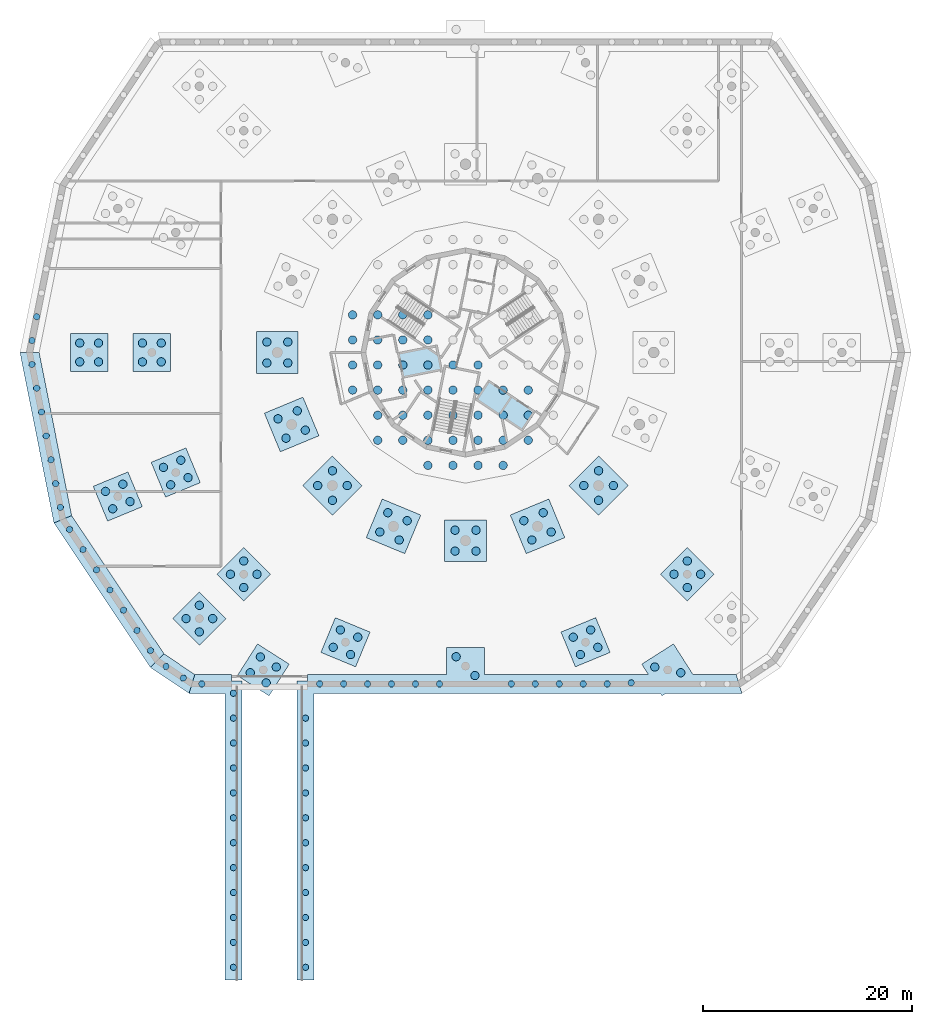
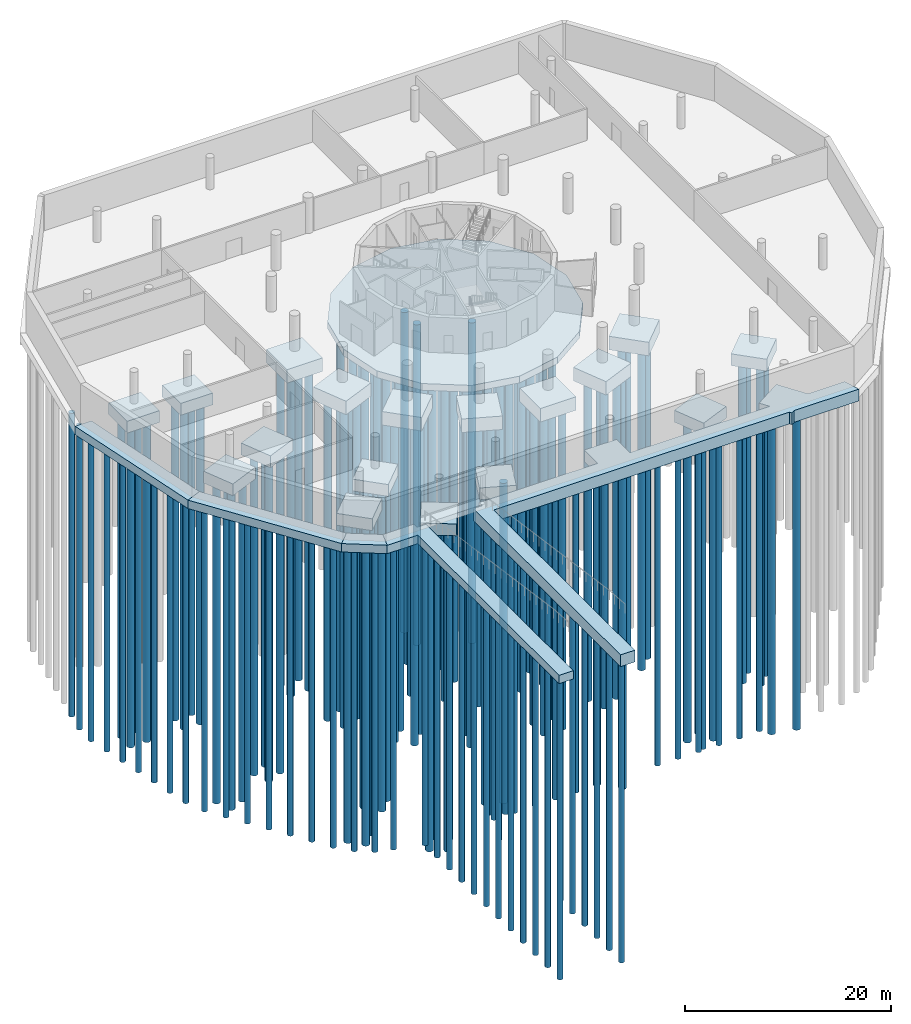
# One storey, part 1 of 8: 166 piles, 23 footings.
"""IFC4 building model written with IfcOpenShell, lengths in metres."""

from ifc_helpers import new_model, si_unit, direction, frame, origin, origin_2d, place, context, subcontext, project, spatial, polyline, circle, outline, extrude, material, layer, layer_set, material_profile, profile_set, type_object, element, save


model = new_model("IFC4")

# Units and contexts
model_context = context("Model", 3, precision=1e-05, world=origin(), true_north=direction((0.0, 1.0)))
body_context = subcontext(model_context, "Body", "Model", "MODEL_VIEW")
ifc_project = project(units=[si_unit("LENGTHUNIT", "METRE"), si_unit("AREAUNIT", "SQUARE_METRE"), si_unit("VOLUMEUNIT", "CUBIC_METRE"), si_unit("PLANEANGLEUNIT", "RADIAN"), si_unit("MASSUNIT", "GRAM", prefix="KILO")], contexts=[model_context])

# Site, building, storey
site_placement = place(None, origin())
site = spatial("IfcSite", under=ifc_project, at=site_placement, CompositionType="ELEMENT")
building_placement = place(site_placement, origin())
building = spatial("IfcBuilding", under=site, at=building_placement, Name="Ceibo Conservatory and Research Tower", CompositionType="ELEMENT")
storey_placement = place(building_placement, frame((0.0, 0.0, -4.199951171875)))
storey = spatial("IfcBuildingStorey", under=building, at=storey_placement, Name="B1", CompositionType="ELEMENT", Elevation=-4.199951171875)

# Piles
ifc_material_1 = material(Name="Concrete C35/45", Category="concrete")
ifc_material_profile_1 = material_profile(ifc_material_1, circle(Radius=0.300048828125, at=origin_2d()), Name="RC D600")
ifc_profile_set_1 = profile_set([ifc_material_profile_1], Name="Concrete C35/45")
pile_type_1 = type_object("IfcPileType", Name="Bored pile D600", PredefinedType="BORED", material=ifc_profile_set_1)
for number, where, z_axis, x_axis, name in (
    (1, (34.046142578125, 88.300048828125, -1.900146484375), (0.0, 0.0, -1.0), (1.0, 0.0, 0.0), "Pile B1.CAPM.R10.J 05"),
    (2, (36.338623046875, 88.300048828125, -1.900146484375), (0.0, 0.0, -1.0), (1.0, 0.0, 0.0), "Pile B1.CAPM.R10.J 06"),
    (3, (38.630859375, 88.300048828125, -1.900146484375), (0.0, 0.0, -1.0), (1.0, 0.0, 0.0), "Pile B1.CAPM.R10.J 07"),
    (4, (40.92333984375, 88.300048828125, -1.900146484375), (0.0, 0.0, -1.0), (1.0, 0.0, 0.0), "Pile B1.CAPM.R10.J 08"),
    (5, (43.2158203125, 88.300048828125, -1.900146484375), (0.0, 0.0, -1.0), (1.0, 0.0, 0.0), "Pile B1.CAPM.R10.J 09"),
    (6, (45.508056640625, 88.300048828125, -1.900146484375), (0.0, 0.0, -1.0), (1.0, 0.0, 0.0), "Pile B1.CAPM.R10.J 10"),
    (7, (52.38525390625, 88.300048828125, -1.900146484375), (0.0, 0.0, -1.0), (1.0, 0.0, 0.0), "Pile B1.CAPM.R10.J 11"),
    (8, (54.677734375, 88.300048828125, -1.900146484375), (0.0, 0.0, -1.0), (1.0, 0.0, 0.0), "Pile B1.CAPM.R10.J 12"),
    (9, (56.97021484375, 88.300048828125, -1.900146484375), (0.0, 0.0, -1.0), (1.0, 0.0, 0.0), "Pile B1.CAPM.R10.J 13"),
    (10, (59.262451171875, 88.300048828125, -1.900146484375), (0.0, 0.0, -1.0), (1.0, 0.0, 0.0), "Pile B1.CAPM.R10.J 14"),
    (11, (61.554931640625, 88.300048828125, -1.900146484375), (0.0, 0.0, -1.0), (1.0, 0.0, 0.0), "Pile B1.CAPM.R10.J 15"),
    (12, (63.84716796875, 88.39990234375, -1.900146484375), (0.0, 0.0, -1.0), (1.0, 0.0, 0.0), "Pile B1.CAPM.R10.J 16"),
    (13, (32.699951171875, 61.191650390625, -1.900146484375), (0.0, 0.0, -1.0), (1.0, 0.0, 0.0), "Pile B1.CAPM.R10.J 19"),
    (14, (32.699951171875, 63.574951171875, -1.900146484375), (0.0, 0.0, -1.0), (1.0, 0.0, 0.0), "Pile B1.CAPM.R10.J 20"),
    (15, (32.699951171875, 65.958251953125, -1.900146484375), (0.0, 0.0, -1.0), (1.0, 0.0, 0.0), "Pile B1.CAPM.R10.J 21"),
    (16, (32.699951171875, 68.341552734375, -1.900146484375), (0.0, 0.0, -1.0), (1.0, 0.0, 0.0), "Pile B1.CAPM.R10.J 22"),
    (17, (32.699951171875, 70.72509765625, -1.900146484375), (0.0, 0.0, -1.0), (1.0, 0.0, 0.0), "Pile B1.CAPM.R10.J 23"),
    (18, (32.699951171875, 73.1083984375, -1.900146484375), (0.0, 0.0, -1.0), (1.0, 0.0, 0.0), "Pile B1.CAPM.R10.J 24"),
    (19, (32.699951171875, 75.49169921875, -1.900146484375), (0.0, 0.0, -1.0), (1.0, 0.0, 0.0), "Pile B1.CAPM.R10.J 25"),
    (20, (32.699951171875, 77.875, -1.900146484375), (0.0, 0.0, -1.0), (1.0, 0.0, 0.0), "Pile B1.CAPM.R10.J 26"),
    (21, (32.699951171875, 80.25830078125, -1.900146484375), (0.0, 0.0, -1.0), (1.0, 0.0, 0.0), "Pile B1.CAPM.R10.J 27"),
    (22, (32.699951171875, 82.6416015625, -1.900146484375), (0.0, 0.0, -1.0), (1.0, 0.0, 0.0), "Pile B1.CAPM.R10.J 28"),
    (23, (32.699951171875, 85.02490234375, -1.900146484375), (0.0, 0.0, -1.0), (1.0, 0.0, 0.0), "Pile B1.CAPM.R10.J 29"),
    (24, (6.986083984375, 123.419189453125, -1.5), (0.0, 0.0, -1.0), (1.0, 0.0, 0.0), "Pile B1.STRIP.F05 06"),
    (25, (6.532470703125, 121.1396484375, -1.5), (0.0, 0.0, -1.0), (1.0, 0.0, 0.0), "Pile B1.STRIP.F05 07"),
    (26, (6.532470703125, 118.8603515625, -1.5), (0.0, 0.0, -1.0), (1.0, 0.0, 0.0), "Pile B1.STRIP.F06 01"),
    (27, (6.986083984375, 116.580810546875, -1.5), (0.0, 0.0, -1.0), (1.0, 0.0, 0.0), "Pile B1.STRIP.F06 02"),
    (28, (7.439453125, 114.301513671875, -1.5), (0.0, 0.0, -1.0), (1.0, 0.0, 0.0), "Pile B1.STRIP.F06 03"),
    (29, (7.892822265625, 112.022216796875, -1.5), (0.0, 0.0, -1.0), (1.0, 0.0, 0.0), "Pile B1.STRIP.F06 04"),
    (30, (8.34619140625, 109.74267578125, -1.5), (0.0, 0.0, -1.0), (1.0, 0.0, 0.0), "Pile B1.STRIP.F06 05"),
    (31, (8.799560546875, 107.46337890625, -1.5), (0.0, 0.0, -1.0), (1.0, 0.0, 0.0), "Pile B1.STRIP.F06 06"),
    (32, (9.2529296875, 105.18408203125, -1.5), (0.0, 0.0, -1.0), (1.0, 0.0, 0.0), "Pile B1.STRIP.F06 07"),
    (33, (10.125244140625, 103.078125, -1.5), (0.0, 0.0, -1.0), (1.0, 0.0, 0.0), "Pile B1.STRIP.F07 01"),
    (34, (11.41650390625, 101.145751953125, -1.5), (0.0, 0.0, -1.0), (1.0, 0.0, 0.0), "Pile B1.STRIP.F07 02"),
    (35, (12.70751953125, 99.21337890625, -1.5), (0.0, 0.0, -1.0), (1.0, 0.0, 0.0), "Pile B1.STRIP.F07 03"),
    (36, (13.998779296875, 97.281005859375, -1.5), (0.0, 0.0, -1.0), (1.0, 0.0, 0.0), "Pile B1.STRIP.F07 04"),
    (37, (15.289794921875, 95.3486328125, -1.5), (0.0, 0.0, -1.0), (1.0, 0.0, 0.0), "Pile B1.STRIP.F07 05"),
    (38, (16.5810546875, 93.416259765625, -1.5), (0.0, 0.0, -1.0), (1.0, 0.0, 0.0), "Pile B1.STRIP.F07 06"),
    (39, (17.872314453125, 91.48388671875, -1.5), (0.0, 0.0, -1.0), (1.0, 0.0, 0.0), "Pile B1.STRIP.F07 07"),
    (40, (19.34765625, 89.96337890625, -1.5), (0.0, 0.0, -1.0), (1.0, 0.0, 0.0), "Pile B1.STRIP.F08 01"),
    (41, (21.007080078125, 88.8544921875, -1.5), (0.0, 0.0, -1.0), (1.0, 0.0, 0.0), "Pile B1.STRIP.F08 02"),
    (42, (25.800048828125, 61.191650390625, -1.5), (0.0, 0.0, -1.0), (1.0, 0.0, 0.0), "Pile B1.STRIP.RAMP.W.J 01"),
    (43, (25.800048828125, 63.574951171875, -1.5), (0.0, 0.0, -1.0), (1.0, 0.0, 0.0), "Pile B1.STRIP.RAMP.W.J 02"),
    (44, (25.800048828125, 65.958251953125, -1.5), (0.0, 0.0, -1.0), (1.0, 0.0, 0.0), "Pile B1.STRIP.RAMP.W.J 03"),
    (45, (25.800048828125, 68.341552734375, -1.5), (0.0, 0.0, -1.0), (1.0, 0.0, 0.0), "Pile B1.STRIP.RAMP.W.J 04"),
    (46, (25.800048828125, 70.72509765625, -1.5), (0.0, 0.0, -1.0), (1.0, 0.0, 0.0), "Pile B1.STRIP.RAMP.W.J 05"),
    (47, (25.800048828125, 73.1083984375, -1.5), (0.0, 0.0, -1.0), (1.0, 0.0, 0.0), "Pile B1.STRIP.RAMP.W.J 06"),
    (48, (25.800048828125, 75.49169921875, -1.5), (0.0, 0.0, -1.0), (1.0, 0.0, 0.0), "Pile B1.STRIP.RAMP.W.J 07"),
    (49, (25.800048828125, 77.875, -1.5), (0.0, 0.0, -1.0), (1.0, 0.0, 0.0), "Pile B1.STRIP.RAMP.W.J 08"),
    (50, (25.800048828125, 80.25830078125, -1.5), (0.0, 0.0, -1.0), (1.0, 0.0, 0.0), "Pile B1.STRIP.RAMP.W.J 09"),
    (51, (25.800048828125, 82.6416015625, -1.5), (0.0, 0.0, -1.0), (1.0, 0.0, 0.0), "Pile B1.STRIP.RAMP.W.J 10"),
    (52, (25.800048828125, 85.02490234375, -1.5), (0.0, 0.0, -1.0), (1.0, 0.0, 0.0), "Pile B1.STRIP.RAMP.W.J 11"),
    (53, (25.800048828125, 87.408447265625, -1.5), (0.0, 0.0, -1.0), (1.0, 0.0, 0.0), "Pile B1.STRIP.RAMP.W.J 12"),
    (54, (22.77783203125, 88.300048828125, -1.5), (0.0, 0.0, -1.0), (1.0, 0.0, 0.0), "Pile B1.STRIP.RAMP.W.J 13"),
):
    element("IfcPile", number, at=place(storey_placement, frame(where, z_axis=z_axis, x_axis=x_axis)), inside=storey, type_object=pile_type_1, Name=name, PredefinedType="BORED", context=body_context, shape_type="SweptSolid", body=[
        extrude(circle(Radius=0.300048828125, at=origin_2d()), origin(), (0.0, 0.0, 1.0), 36.0),
    ])
ifc_material_profile_2 = material_profile(ifc_material_1, circle(Radius=0.39990234375, at=origin_2d()), Name="RC D800")
ifc_profile_set_2 = profile_set([ifc_material_profile_2], Name="Concrete C35/45")
pile_type_2 = type_object("IfcPileType", Name="Bored pile D800", PredefinedType="BORED", material=ifc_profile_set_2)
for number, where, z_axis, x_axis, name in (
    (55, (44.39990234375, 109.199951171875, -2.699951171875), (0.0, 0.0, -1.0), (1.0, 0.0, 0.0), "Pile T.CAP.CORE 01"),
    (56, (46.800048828125, 109.199951171875, -2.699951171875), (0.0, 0.0, -1.0), (1.0, 0.0, 0.0), "Pile T.CAP.CORE 02"),
    (57, (49.199951171875, 109.199951171875, -2.699951171875), (0.0, 0.0, -1.0), (1.0, 0.0, 0.0), "Pile T.CAP.CORE 03"),
    (58, (51.60009765625, 109.199951171875, -2.699951171875), (0.0, 0.0, -1.0), (1.0, 0.0, 0.0), "Pile T.CAP.CORE 04"),
    (59, (39.60009765625, 111.60009765625, -2.699951171875), (0.0, 0.0, -1.0), (1.0, 0.0, 0.0), "Pile T.CAP.CORE 05"),
    (60, (42.0, 111.60009765625, -2.699951171875), (0.0, 0.0, -1.0), (1.0, 0.0, 0.0), "Pile T.CAP.CORE 06"),
    (61, (44.39990234375, 111.60009765625, -2.699951171875), (0.0, 0.0, -1.0), (1.0, 0.0, 0.0), "Pile T.CAP.CORE 07"),
    (62, (46.800048828125, 111.60009765625, -2.699951171875), (0.0, 0.0, -1.0), (1.0, 0.0, 0.0), "Pile T.CAP.CORE 08"),
    (63, (49.199951171875, 111.60009765625, -2.699951171875), (0.0, 0.0, -1.0), (1.0, 0.0, 0.0), "Pile T.CAP.CORE 09"),
    (64, (51.60009765625, 111.60009765625, -2.699951171875), (0.0, 0.0, -1.0), (1.0, 0.0, 0.0), "Pile T.CAP.CORE 10"),
    (65, (54.0, 111.60009765625, -2.699951171875), (0.0, 0.0, -1.0), (1.0, 0.0, 0.0), "Pile T.CAP.CORE 11"),
    (66, (39.60009765625, 114.0, -2.699951171875), (0.0, 0.0, -1.0), (1.0, 0.0, 0.0), "Pile T.CAP.CORE 13"),
    (67, (42.0, 114.0, -2.699951171875), (0.0, 0.0, -1.0), (1.0, 0.0, 0.0), "Pile T.CAP.CORE 14"),
    (68, (44.39990234375, 114.0, -2.699951171875), (0.0, 0.0, -1.0), (1.0, 0.0, 0.0), "Pile T.CAP.CORE 15"),
    (69, (46.800048828125, 114.0, -2.699951171875), (0.0, 0.0, -1.0), (1.0, 0.0, 0.0), "Pile T.CAP.CORE 16"),
    (70, (49.199951171875, 114.0, -2.699951171875), (0.0, 0.0, -1.0), (1.0, 0.0, 0.0), "Pile T.CAP.CORE 17"),
    (71, (51.60009765625, 114.0, -2.699951171875), (0.0, 0.0, -1.0), (1.0, 0.0, 0.0), "Pile T.CAP.CORE 18"),
    (72, (54.0, 114.0, -2.699951171875), (0.0, 0.0, -1.0), (1.0, 0.0, 0.0), "Pile T.CAP.CORE 19"),
    (73, (37.199951171875, 116.39990234375, -2.699951171875), (0.0, 0.0, -1.0), (1.0, 0.0, 0.0), "Pile T.CAP.CORE 21"),
    (74, (39.60009765625, 116.39990234375, -2.699951171875), (0.0, 0.0, -1.0), (1.0, 0.0, 0.0), "Pile T.CAP.CORE 22"),
    (75, (42.0, 116.39990234375, -2.699951171875), (0.0, 0.0, -1.0), (1.0, 0.0, 0.0), "Pile T.CAP.CORE 23"),
    (76, (44.39990234375, 116.39990234375, -2.699951171875), (0.0, 0.0, -1.0), (1.0, 0.0, 0.0), "Pile T.CAP.CORE 24"),
    (77, (46.800048828125, 116.39990234375, -2.699951171875), (0.0, 0.0, -1.0), (1.0, 0.0, 0.0), "Pile T.CAP.CORE 25"),
    (78, (49.199951171875, 116.39990234375, -2.699951171875), (0.0, 0.0, -1.0), (1.0, 0.0, 0.0), "Pile T.CAP.CORE 26"),
    (79, (51.60009765625, 116.39990234375, -2.699951171875), (0.0, 0.0, -1.0), (1.0, 0.0, 0.0), "Pile T.CAP.CORE 27"),
    (80, (54.0, 116.39990234375, -2.699951171875), (0.0, 0.0, -1.0), (1.0, 0.0, 0.0), "Pile T.CAP.CORE 28"),
    (81, (37.199951171875, 118.800048828125, -2.699951171875), (0.0, 0.0, -1.0), (1.0, 0.0, 0.0), "Pile T.CAP.CORE 31"),
    (82, (39.60009765625, 118.800048828125, -2.699951171875), (0.0, 0.0, -1.0), (1.0, 0.0, 0.0), "Pile T.CAP.CORE 32"),
    (83, (42.0, 118.800048828125, -2.699951171875), (0.0, 0.0, -1.0), (1.0, 0.0, 0.0), "Pile T.CAP.CORE 33"),
    (84, (44.39990234375, 118.800048828125, -2.699951171875), (0.0, 0.0, -1.0), (1.0, 0.0, 0.0), "Pile T.CAP.CORE 34"),
    (85, (46.800048828125, 118.800048828125, -2.699951171875), (0.0, 0.0, -1.0), (1.0, 0.0, 0.0), "Pile T.CAP.CORE 35"),
    (86, (49.199951171875, 118.800048828125, -2.699951171875), (0.0, 0.0, -1.0), (1.0, 0.0, 0.0), "Pile T.CAP.CORE 36"),
    (87, (37.199951171875, 121.199951171875, -2.699951171875), (0.0, 0.0, -1.0), (1.0, 0.0, 0.0), "Pile T.CAP.CORE 41"),
    (88, (39.60009765625, 121.199951171875, -2.699951171875), (0.0, 0.0, -1.0), (1.0, 0.0, 0.0), "Pile T.CAP.CORE 42"),
    (89, (42.0, 121.199951171875, -2.699951171875), (0.0, 0.0, -1.0), (1.0, 0.0, 0.0), "Pile T.CAP.CORE 43"),
    (90, (44.39990234375, 121.199951171875, -2.699951171875), (0.0, 0.0, -1.0), (1.0, 0.0, 0.0), "Pile T.CAP.CORE 44"),
    (91, (37.199951171875, 123.60009765625, -2.699951171875), (0.0, 0.0, -1.0), (1.0, 0.0, 0.0), "Pile T.CAP.CORE 51"),
    (92, (39.60009765625, 123.60009765625, -2.699951171875), (0.0, 0.0, -1.0), (1.0, 0.0, 0.0), "Pile T.CAP.CORE 52"),
    (93, (42.0, 123.60009765625, -2.699951171875), (0.0, 0.0, -1.0), (1.0, 0.0, 0.0), "Pile T.CAP.CORE 53"),
    (94, (44.39990234375, 123.60009765625, -2.699951171875), (0.0, 0.0, -1.0), (1.0, 0.0, 0.0), "Pile T.CAP.CORE 54"),
    (95, (31.0, 121.0, -2.10009765625), (0.0, 0.0, -1.0), (1.0, 0.0, 0.0), "Pile T.CAP.R09 01"),
    (96, (31.0, 119.0, -2.10009765625), (0.0, 0.0, -1.0), (1.0, 0.0, 0.0), "Pile T.CAP.R09 02"),
    (97, (29.0, 121.0, -2.10009765625), (0.0, 0.0, -1.0), (1.0, 0.0, 0.0), "Pile T.CAP.R09 03"),
    (98, (29.0, 119.0, -2.10009765625), (0.0, 0.0, -1.0), (1.0, 0.0, 0.0), "Pile T.CAP.R09 04"),
    (99, (31.911376953125, 114.418212890625, -2.10009765625), (0.0, 0.0, -1.0), (1.0, 0.0, 0.0), "Pile T.CAP.R10 01"),
    (100, (32.6767578125, 112.570556640625, -2.10009765625), (0.0, 0.0, -1.0), (1.0, 0.0, 0.0), "Pile T.CAP.R10 02"),
    (101, (30.063720703125, 113.65283203125, -2.10009765625), (0.0, 0.0, -1.0), (1.0, 0.0, 0.0), "Pile T.CAP.R10 03"),
    (102, (30.828857421875, 111.80517578125, -2.10009765625), (0.0, 0.0, -1.0), (1.0, 0.0, 0.0), "Pile T.CAP.R10 04"),
    (103, (35.27197265625, 108.686279296875, -2.10009765625), (0.0, 0.0, -1.0), (1.0, 0.0, 0.0), "Pile T.CAP.R11 01"),
    (104, (36.686279296875, 107.27197265625, -2.10009765625), (0.0, 0.0, -1.0), (1.0, 0.0, 0.0), "Pile T.CAP.R11 02"),
    (105, (33.85791015625, 107.27197265625, -2.10009765625), (0.0, 0.0, -1.0), (1.0, 0.0, 0.0), "Pile T.CAP.R11 03"),
    (106, (35.27197265625, 105.85791015625, -2.10009765625), (0.0, 0.0, -1.0), (1.0, 0.0, 0.0), "Pile T.CAP.R11 04"),
    (107, (40.570556640625, 104.6767578125, -2.10009765625), (0.0, 0.0, -1.0), (1.0, 0.0, 0.0), "Pile T.CAP.R12 01"),
    (108, (42.418212890625, 103.911376953125, -2.10009765625), (0.0, 0.0, -1.0), (1.0, 0.0, 0.0), "Pile T.CAP.R12 02"),
    (109, (39.80517578125, 102.828857421875, -2.10009765625), (0.0, 0.0, -1.0), (1.0, 0.0, 0.0), "Pile T.CAP.R12 03"),
    (110, (41.65283203125, 102.063720703125, -2.10009765625), (0.0, 0.0, -1.0), (1.0, 0.0, 0.0), "Pile T.CAP.R12 04"),
    (111, (47.0, 103.0, -2.10009765625), (0.0, 0.0, -1.0), (1.0, 0.0, 0.0), "Pile T.CAP.R13 01"),
    (112, (49.0, 103.0, -2.10009765625), (0.0, 0.0, -1.0), (1.0, 0.0, 0.0), "Pile T.CAP.R13 02"),
    (113, (47.0, 101.0, -2.10009765625), (0.0, 0.0, -1.0), (1.0, 0.0, 0.0), "Pile T.CAP.R13 03"),
    (114, (49.0, 101.0, -2.10009765625), (0.0, 0.0, -1.0), (1.0, 0.0, 0.0), "Pile T.CAP.R13 04"),
    (115, (53.581787109375, 103.911376953125, -2.10009765625), (0.0, 0.0, -1.0), (1.0, 0.0, 0.0), "Pile T.CAP.R14 01"),
    (116, (55.429443359375, 104.6767578125, -2.10009765625), (0.0, 0.0, -1.0), (1.0, 0.0, 0.0), "Pile T.CAP.R14 02"),
    (117, (54.34716796875, 102.063720703125, -2.10009765625), (0.0, 0.0, -1.0), (1.0, 0.0, 0.0), "Pile T.CAP.R14 03"),
    (118, (56.19482421875, 102.828857421875, -2.10009765625), (0.0, 0.0, -1.0), (1.0, 0.0, 0.0), "Pile T.CAP.R14 04"),
    (119, (59.313720703125, 107.27197265625, -2.10009765625), (0.0, 0.0, -1.0), (1.0, 0.0, 0.0), "Pile T.CAP.R15 01"),
    (120, (60.72802734375, 108.686279296875, -2.10009765625), (0.0, 0.0, -1.0), (1.0, 0.0, 0.0), "Pile T.CAP.R15 02"),
    (121, (60.72802734375, 105.85791015625, -2.10009765625), (0.0, 0.0, -1.0), (1.0, 0.0, 0.0), "Pile T.CAP.R15 03"),
    (122, (62.14208984375, 107.27197265625, -2.10009765625), (0.0, 0.0, -1.0), (1.0, 0.0, 0.0), "Pile T.CAP.R15 04"),
    (123, (18.89990234375, 120.89990234375, -1.900146484375), (0.0, 0.0, -1.0), (1.0, 0.0, 0.0), "Pile B1.CAP.R09 01"),
    (124, (17.10009765625, 120.89990234375, -1.900146484375), (0.0, 0.0, -1.0), (1.0, 0.0, 0.0), "Pile B1.CAP.R09 02"),
    (125, (17.10009765625, 119.10009765625, -1.900146484375), (0.0, 0.0, -1.0), (1.0, 0.0, 0.0), "Pile B1.CAP.R09 03"),
    (126, (18.89990234375, 119.10009765625, -1.900146484375), (0.0, 0.0, -1.0), (1.0, 0.0, 0.0), "Pile B1.CAP.R09 04"),
    (127, (20.770751953125, 109.6953125, -1.900146484375), (0.0, 0.0, -1.0), (1.0, 0.0, 0.0), "Pile B1.CAP.R10 01"),
    (128, (19.107666015625, 109.006591796875, -1.900146484375), (0.0, 0.0, -1.0), (1.0, 0.0, 0.0), "Pile B1.CAP.R10 02"),
    (129, (19.796630859375, 107.343505859375, -1.900146484375), (0.0, 0.0, -1.0), (1.0, 0.0, 0.0), "Pile B1.CAP.R10 03"),
    (130, (21.45947265625, 108.032470703125, -1.900146484375), (0.0, 0.0, -1.0), (1.0, 0.0, 0.0), "Pile B1.CAP.R10 04"),
    (131, (26.786865234375, 100.0595703125, -1.900146484375), (0.0, 0.0, -1.0), (1.0, 0.0, 0.0), "Pile B1.CAP.R11 01"),
    (132, (25.513916015625, 98.786865234375, -1.900146484375), (0.0, 0.0, -1.0), (1.0, 0.0, 0.0), "Pile B1.CAP.R11 02"),
    (133, (26.786865234375, 97.513916015625, -1.900146484375), (0.0, 0.0, -1.0), (1.0, 0.0, 0.0), "Pile B1.CAP.R11 03"),
    (134, (28.0595703125, 98.786865234375, -1.900146484375), (0.0, 0.0, -1.0), (1.0, 0.0, 0.0), "Pile B1.CAP.R11 04"),
    (135, (36.032470703125, 93.45947265625, -1.900146484375), (0.0, 0.0, -1.0), (1.0, 0.0, 0.0), "Pile B1.CAP.R12 01"),
    (136, (35.343505859375, 91.796630859375, -1.900146484375), (0.0, 0.0, -1.0), (1.0, 0.0, 0.0), "Pile B1.CAP.R12 02"),
    (137, (37.006591796875, 91.107666015625, -1.900146484375), (0.0, 0.0, -1.0), (1.0, 0.0, 0.0), "Pile B1.CAP.R12 03"),
    (138, (37.6953125, 92.770751953125, -1.900146484375), (0.0, 0.0, -1.0), (1.0, 0.0, 0.0), "Pile B1.CAP.R12 04"),
    (139, (58.3046875, 92.770751953125, -1.900146484375), (0.0, 0.0, -1.0), (1.0, 0.0, 0.0), "Pile B1.CAP.R14 01"),
    (140, (58.993408203125, 91.107666015625, -1.900146484375), (0.0, 0.0, -1.0), (1.0, 0.0, 0.0), "Pile B1.CAP.R14 02"),
    (141, (60.656494140625, 91.796630859375, -1.900146484375), (0.0, 0.0, -1.0), (1.0, 0.0, 0.0), "Pile B1.CAP.R14 03"),
    (142, (59.967529296875, 93.45947265625, -1.900146484375), (0.0, 0.0, -1.0), (1.0, 0.0, 0.0), "Pile B1.CAP.R14 04"),
    (143, (67.9404296875, 98.786865234375, -1.900146484375), (0.0, 0.0, -1.0), (1.0, 0.0, 0.0), "Pile B1.CAP.R15 01"),
    (144, (69.213134765625, 97.513916015625, -1.900146484375), (0.0, 0.0, -1.0), (1.0, 0.0, 0.0), "Pile B1.CAP.R15 02"),
    (145, (70.486083984375, 98.786865234375, -1.900146484375), (0.0, 0.0, -1.0), (1.0, 0.0, 0.0), "Pile B1.CAP.R15 03"),
    (146, (69.213134765625, 100.0595703125, -1.900146484375), (0.0, 0.0, -1.0), (1.0, 0.0, 0.0), "Pile B1.CAP.R15 04"),
    (147, (12.89990234375, 120.89990234375, -1.900146484375), (0.0, 0.0, -1.0), (1.0, 0.0, 0.0), "Pile B1.CAPM.R06 01"),
    (148, (11.10009765625, 120.89990234375, -1.900146484375), (0.0, 0.0, -1.0), (1.0, 0.0, 0.0), "Pile B1.CAPM.R06 02"),
    (149, (11.10009765625, 119.10009765625, -1.900146484375), (0.0, 0.0, -1.0), (1.0, 0.0, 0.0), "Pile B1.CAPM.R06 03"),
    (150, (12.89990234375, 119.10009765625, -1.900146484375), (0.0, 0.0, -1.0), (1.0, 0.0, 0.0), "Pile B1.CAPM.R06 04"),
    (151, (15.227294921875, 107.3994140625, -1.900146484375), (0.0, 0.0, -1.0), (1.0, 0.0, 0.0), "Pile B1.CAPM.R07 01"),
    (152, (13.564453125, 106.71044921875, -1.900146484375), (0.0, 0.0, -1.0), (1.0, 0.0, 0.0), "Pile B1.CAPM.R07 02"),
    (153, (14.253173828125, 105.047607421875, -1.900146484375), (0.0, 0.0, -1.0), (1.0, 0.0, 0.0), "Pile B1.CAPM.R07 03"),
    (154, (15.916259765625, 105.736328125, -1.900146484375), (0.0, 0.0, -1.0), (1.0, 0.0, 0.0), "Pile B1.CAPM.R07 04"),
    (155, (22.544189453125, 95.81689453125, -1.900146484375), (0.0, 0.0, -1.0), (1.0, 0.0, 0.0), "Pile B1.CAPM.R08 01"),
    (156, (21.271484375, 94.544189453125, -1.900146484375), (0.0, 0.0, -1.0), (1.0, 0.0, 0.0), "Pile B1.CAPM.R08 02"),
    (157, (22.544189453125, 93.271484375, -1.900146484375), (0.0, 0.0, -1.0), (1.0, 0.0, 0.0), "Pile B1.CAPM.R08 03"),
    (158, (23.81689453125, 94.544189453125, -1.900146484375), (0.0, 0.0, -1.0), (1.0, 0.0, 0.0), "Pile B1.CAPM.R08 04"),
    (159, (28.3818359375, 90.880615234375, -1.900146484375), (0.0, 0.0, -1.0), (1.0, 0.0, 0.0), "Pile B1.CAPM.R09 01"),
    (160, (27.41455078125, 89.3623046875, -1.900146484375), (0.0, 0.0, -1.0), (1.0, 0.0, 0.0), "Pile B1.CAPM.R09 02"),
    (161, (28.9326171875, 88.395263671875, -1.900146484375), (0.0, 0.0, -1.0), (1.0, 0.0, 0.0), "Pile B1.CAPM.R09 03"),
    (162, (29.89990234375, 89.913330078125, -1.900146484375), (0.0, 0.0, -1.0), (1.0, 0.0, 0.0), "Pile B1.CAPM.R09 04"),
    (163, (66.10009765625, 89.913330078125, -1.900146484375), (0.0, 0.0, -1.0), (1.0, 0.0, 0.0), "Pile B1.CAPM.R10.J 01"),
    (164, (68.58544921875, 89.3623046875, -1.900146484375), (0.0, 0.0, -1.0), (1.0, 0.0, 0.0), "Pile B1.CAPM.R10.J 02"),
    (165, (47.10009765625, 90.89990234375, -1.900146484375), (0.0, 0.0, -1.0), (1.0, 0.0, 0.0), "Pile B1.CAPM.R10.J 03"),
    (166, (48.89990234375, 89.10009765625, -1.900146484375), (0.0, 0.0, -1.0), (1.0, 0.0, 0.0), "Pile B1.CAPM.R10.J 04"),
):
    element("IfcPile", number, at=place(storey_placement, frame(where, z_axis=z_axis, x_axis=x_axis)), inside=storey, type_object=pile_type_2, Name=name, PredefinedType="BORED", context=body_context, shape_type="SweptSolid", body=[
        extrude(circle(Radius=0.39990234375, at=origin_2d()), origin(), (0.0, 0.0, 1.0), 38.0),
    ])

# Footings
ifc_material_2 = material(Name="Concrete C40/50", Category="concrete")
ifc_layer_1 = layer(ifc_material_2, 1.39990234375)
ifc_layer_set_1 = layer_set([ifc_layer_1], Name="Concrete C40/50")
footing_type_1 = type_object("IfcFootingType", Name="Pile cap 3600x3600x1400", PredefinedType="PILE_CAP", material=ifc_layer_set_1)
footing_1_placement = place(storey_placement, frame((0.0, 0.0, -2.0)))
element("IfcFooting", 167, at=footing_1_placement, inside=storey, type_object=footing_type_1, Name="Pile cap R9", PredefinedType="PILE_CAP", context=body_context, shape_type="SweptSolid", body=[
    extrude(outline(polyline([(19.800048828125, 121.800048828125), (16.199951171875, 121.800048828125), (16.199951171875, 118.199951171875), (19.800048828125, 118.199951171875), (19.800048828125, 121.800048828125)])), origin(), (0.0, 0.0, 1.0), 1.39990234375),
])
for number, where, z_axis, x_axis, name in (
    (168, (21.2578125, 110.871337890625, -2.0), (0.0, 0.0, 1.0), (-0.923879554627, -0.382683378973, 0.0), "Pile cap R10"),
    (169, (26.786865234375, 101.332275390625, -2.0), (0.0, 0.0, 1.0), (-0.707106781187, -0.707106781187, 0.0), "Pile cap R11"),
    (170, (35.54541015625, 94.635498046875, -2.0), (0.0, 0.0, 1.0), (-0.382683378973, -0.923879554627, 0.0), "Pile cap R12"),
    (171, (57.128662109375, 93.2578125, -2.0), (0.0, 0.0, 1.0), (0.382683378973, -0.923879554627, 0.0), "Pile cap R14"),
    (172, (66.667724609375, 98.786865234375, -2.0), (0.0, 0.0, 1.0), (0.707106781187, -0.707106781187, 0.0), "Pile cap R15"),
):
    element("IfcFooting", number, at=place(storey_placement, frame(where, z_axis=z_axis, x_axis=x_axis)), inside=storey, type_object=footing_type_1, Name=name, PredefinedType="PILE_CAP", context=body_context, shape_type="SweptSolid", body=[
        extrude(outline(polyline([(0.0, 0.0), (3.60009765625, 0.0), (3.60009765625, 3.60009765625), (0.0, 3.60009765625), (0.0, 0.0)])), origin(), (0.0, 0.0, 1.0), 1.39990234375),
    ])
footing_2_placement = place(storey_placement, frame((0.0, 0.0, -2.0)))
element("IfcFooting", 173, at=footing_2_placement, inside=storey, type_object=footing_type_1, Name="Pile cap M9", PredefinedType="PILE_CAP", context=body_context, shape_type="SweptSolid", body=[
    extrude(outline(polyline([(13.800048828125, 121.800048828125), (10.199951171875, 121.800048828125), (10.199951171875, 118.199951171875), (13.800048828125, 118.199951171875), (13.800048828125, 121.800048828125)])), origin(), (0.0, 0.0, 1.0), 1.39990234375),
])
for number, where, z_axis, x_axis, name in (
    (174, (15.714599609375, 108.5751953125, -2.0), (0.0, 0.0, 1.0), (-0.923879554627, -0.382683378973, 0.0), "Pile cap M10"),
    (175, (22.544189453125, 97.08984375, -2.0), (0.0, 0.0, 1.0), (-0.707106781187, -0.707106781187, 0.0), "Pile cap M11"),
    (176, (28.106201171875, 92.123046875, -2.0), (0.0, 0.0, 1.0), (-0.537299715143, -0.843391377776, 0.0), "Pile cap M12"),
):
    element("IfcFooting", number, at=place(storey_placement, frame(where, z_axis=z_axis, x_axis=x_axis)), inside=storey, type_object=footing_type_1, Name=name, PredefinedType="PILE_CAP", context=body_context, shape_type="SweptSolid", body=[
        extrude(outline(polyline([(0.0, 0.0), (3.60009765625, 0.0), (3.60009765625, 3.60009765625), (0.0, 3.60009765625), (0.0, 0.0)])), origin(), (0.0, 0.0, 1.0), 1.39990234375),
    ])
ifc_layer_2 = layer(ifc_material_2, 1.60009765625)
ifc_layer_set_2 = layer_set([ifc_layer_2], Name="Concrete C40/50")
footing_type_2 = type_object("IfcFootingType", Name="Pile cap 4000x4000x1600", PredefinedType="PILE_CAP", material=ifc_layer_set_2)
footing_3_placement = place(storey_placement, frame((0.0, 0.0, -2.199951171875)))
element("IfcFooting", 177, at=footing_3_placement, inside=storey, type_object=footing_type_2, Name="Pile cap R9", PredefinedType="PILE_CAP", context=body_context, shape_type="SweptSolid", body=[
    extrude(outline(polyline([(32.0, 122.0), (28.0, 122.0), (28.0, 118.0), (32.0, 118.0), (32.0, 122.0)])), origin(), (0.0, 0.0, 1.0), 1.599853515625),
])
for number, where, z_axis, x_axis, name in (
    (178, (32.45263671875, 115.724853515625, -2.199951171875), (0.0, 0.0, 1.0), (-0.923879503838, -0.38268350159, 0.0), "Pile cap R10"),
    (179, (35.27197265625, 110.1005859375, -2.199951171875), (0.0, 0.0, 1.0), (-0.707106781187, -0.707106781187, 0.0), "Pile cap R11"),
    (180, (40.029296875, 105.9833984375, -2.199951171875), (0.0, 0.0, 1.0), (-0.38268350159, -0.923879503838, 0.0), "Pile cap R12"),
):
    element("IfcFooting", number, at=place(storey_placement, frame(where, z_axis=z_axis, x_axis=x_axis)), inside=storey, type_object=footing_type_2, Name=name, PredefinedType="PILE_CAP", context=body_context, shape_type="SweptSolid", body=[
        extrude(outline(polyline([(0.0, 0.0), (4.0, 0.0), (4.0, 4.0), (0.0, 4.0), (0.0, 0.0)])), origin(), (0.0, 0.0, 1.0), 1.599853515625),
    ])
footing_4_placement = place(storey_placement, frame((0.0, 0.0, -2.199951171875)))
element("IfcFooting", 181, at=footing_4_placement, inside=storey, type_object=footing_type_2, Name="Pile cap R13", PredefinedType="PILE_CAP", context=body_context, shape_type="SweptSolid", body=[
    extrude(outline(polyline([(46.0, 104.0), (46.0, 100.0), (50.0, 100.0), (50.0, 104.0), (46.0, 104.0)])), origin(), (0.0, 0.0, 1.0), 1.599853515625),
])
for number, where, z_axis, x_axis, name in (
    (182, (52.275146484375, 104.45263671875, -2.199951171875), (0.0, 0.0, 1.0), (0.38268350159, -0.923879503838, 0.0), "Pile cap R14"),
    (183, (57.8994140625, 107.27197265625, -2.199951171875), (0.0, 0.0, 1.0), (0.707106781187, -0.707106781187, 0.0), "Pile cap R15"),
):
    element("IfcFooting", number, at=place(storey_placement, frame(where, z_axis=z_axis, x_axis=x_axis)), inside=storey, type_object=footing_type_2, Name=name, PredefinedType="PILE_CAP", context=body_context, shape_type="SweptSolid", body=[
        extrude(outline(polyline([(0.0, 0.0), (4.0, 0.0), (4.0, 4.0), (0.0, 4.0), (0.0, 0.0)])), origin(), (0.0, 0.0, 1.0), 1.599853515625),
    ])
ifc_layer_3 = layer(ifc_material_2, 1.0)
ifc_layer_set_3 = layer_set([ifc_layer_3], Name="Concrete C40/50")
footing_type_3 = type_object("IfcFootingType", Name="Pile cap combined 1000", PredefinedType="PILE_CAP", material=ifc_layer_set_3)
footing_5_placement = place(storey_placement, frame((0.0, 0.0, -1.60009765625)))
element("IfcFooting", 184, at=footing_5_placement, inside=storey, type_object=footing_type_3, Name="Pile cap B1.STRIP.RAMP.W.J", PredefinedType="PILE_CAP", context=body_context, shape_type="SweptSolid", body=[
    extrude(outline(polyline([(26.60009765625, 88.60009765625), (25.60009765625, 88.60009765625), (25.60009765625, 89.199951171875), (22.110107421875, 89.199951171875), (21.56396484375, 87.39990234375), (25.0, 87.39990234375), (25.0, 60.0), (26.60009765625, 60.0), (26.60009765625, 88.60009765625)])), origin(), (0.0, 0.0, 1.0), 1.0),
])
ifc_layer_4 = layer(ifc_material_2, 1.39990234375)
ifc_layer_set_4 = layer_set([ifc_layer_4], Name="Concrete C40/50")
footing_type_4 = type_object("IfcFootingType", Name="Pile cap combined 1400", PredefinedType="PILE_CAP", material=ifc_layer_set_4)
footing_6_placement = place(storey_placement, frame((0.0, 0.0, -2.0)))
element("IfcFooting", 185, at=footing_6_placement, inside=storey, type_object=footing_type_4, Name="Pile cap B1.CAPM.R10.J", PredefinedType="PILE_CAP", context=body_context, shape_type="SweptSolid", body=[
    extrude(outline(polyline([(31.89990234375, 60.0), (33.5, 60.0), (33.5, 87.39990234375), (66.63427734375, 87.39990234375), (66.791748046875, 87.152587890625), (67.18017578125, 87.39990234375), (74.43603515625, 87.39990234375), (73.889892578125, 89.199951171875), (69.756103515625, 89.199951171875), (67.893798828125, 92.123046875), (64.857421875, 90.18896484375), (65.487548828125, 89.199951171875), (49.800048828125, 89.199951171875), (49.800048828125, 91.800048828125), (46.199951171875, 91.800048828125), (46.199951171875, 89.199951171875), (32.89990234375, 89.199951171875), (32.89990234375, 88.60009765625), (31.89990234375, 88.60009765625), (31.89990234375, 60.0)])), origin(), (0.0, 0.0, 1.0), 1.39990234375),
])
ifc_layer_5 = layer(ifc_material_2, 0.800048828125)
ifc_layer_set_5 = layer_set([ifc_layer_5], Name="Concrete C40/50")
footing_type_5 = type_object("IfcFootingType", Name="Pile cap core 800", PredefinedType="PILE_CAP", material=ifc_layer_set_5)
footing_7_placement = place(storey_placement, frame((0.0, 0.0, -2.800048828125)))
element("IfcFooting", 186, at=footing_7_placement, inside=storey, type_object=footing_type_5, Name="Core pile cap", PredefinedType="PILE_CAP", context=body_context, shape_type="SweptSolid", body=[
    extrude(outline(polyline([(60.5, 120.0), (59.548583984375, 124.783447265625), (56.8388671875, 128.8388671875), (52.783447265625, 131.548583984375), (48.0, 132.5), (43.216552734375, 131.548583984375), (39.1611328125, 128.8388671875), (36.451416015625, 124.783447265625), (35.5, 120.0), (36.451416015625, 115.216552734375), (39.1611328125, 111.1611328125), (43.216552734375, 108.451416015625), (48.0, 107.5), (52.783447265625, 108.451416015625), (56.8388671875, 111.1611328125), (59.548583984375, 115.216552734375), (60.5, 120.0)])), origin(), (0.0, 0.0, 1.0), 0.800048828125),
])
ifc_layer_6 = layer(ifc_material_2, 1.0)
ifc_layer_set_6 = layer_set([ifc_layer_6], Name="Concrete C40/50")
footing_type_6 = type_object("IfcFootingType", Name="Strip cap 1800x1000", PredefinedType="STRIP_FOOTING", material=ifc_layer_set_6)
footing_8_placement = place(storey_placement, frame((0.0, 0.0, -1.60009765625)))
element("IfcFooting", 187, at=footing_8_placement, inside=storey, type_object=footing_type_6, Name="Strip cap B1.STRIP.F06", PredefinedType="STRIP_FOOTING", context=body_context, shape_type="SweptSolid", body=[
    extrude(outline(polyline([(5.38818359375, 120.0), (8.6318359375, 103.693115234375), (10.327392578125, 104.3955078125), (7.223388671875, 120.0), (5.38818359375, 120.0)])), origin(), (0.0, 0.0, 1.0), 1.0),
])
footing_9_placement = place(storey_placement, frame((0.0, 0.0, -1.60009765625)))
element("IfcFooting", 188, at=footing_9_placement, inside=storey, type_object=footing_type_6, Name="Strip cap B1.STRIP.F07", PredefinedType="STRIP_FOOTING", context=body_context, shape_type="SweptSolid", body=[
    extrude(outline(polyline([(8.6318359375, 103.693115234375), (17.868896484375, 89.868896484375), (19.166748046875, 91.166748046875), (10.327392578125, 104.3955078125), (8.6318359375, 103.693115234375)])), origin(), (0.0, 0.0, 1.0), 1.0),
])
footing_10_placement = place(storey_placement, frame((0.0, 0.0, -1.60009765625)))
element("IfcFooting", 189, at=footing_10_placement, inside=storey, type_object=footing_type_6, Name="Strip cap B1.STRIP.F08", PredefinedType="STRIP_FOOTING", context=body_context, shape_type="SweptSolid", body=[
    extrude(outline(polyline([(17.868896484375, 89.868896484375), (21.56396484375, 87.39990234375), (22.110107421875, 89.199951171875), (19.166748046875, 91.166748046875), (17.868896484375, 89.868896484375)])), origin(), (0.0, 0.0, 1.0), 1.0),
])

save(model, "model.ifc")
